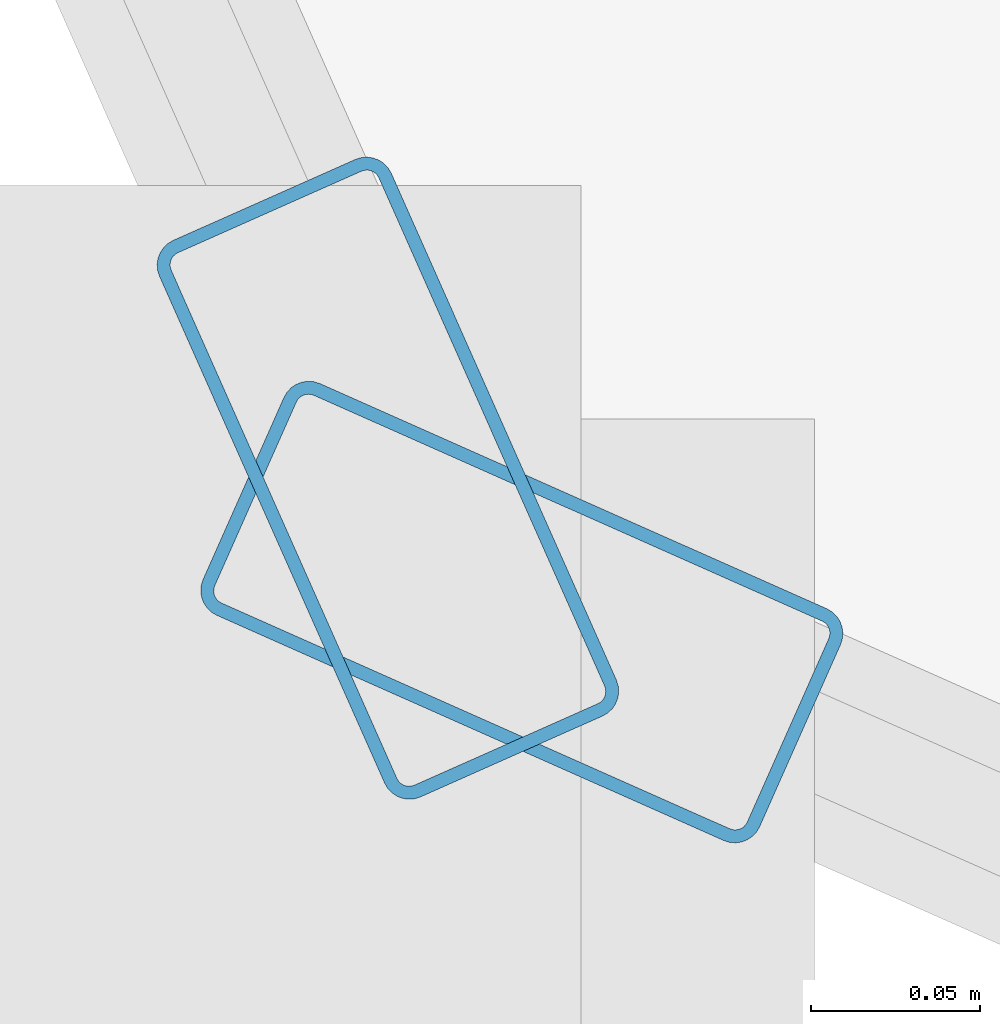
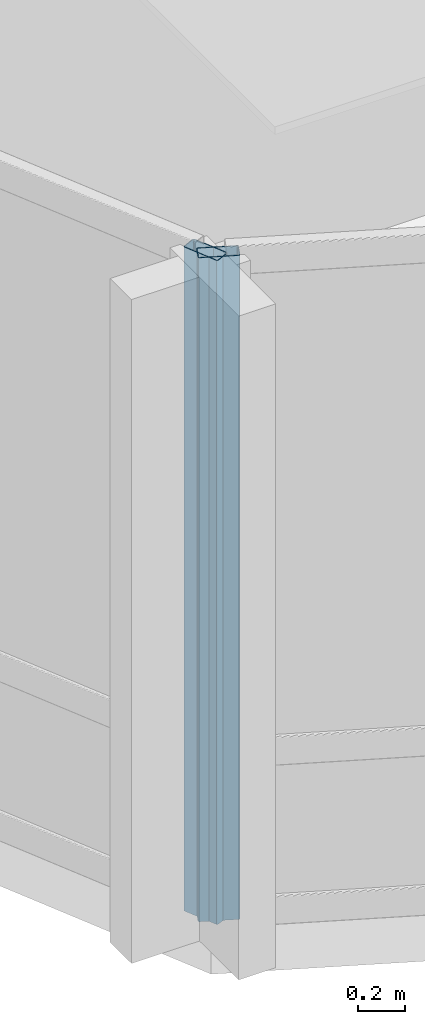
# One storey, part 2 of 28: 2 members, 2 elements without a shape of their own.
"""IFC4 building model written with IfcOpenShell, lengths in metres."""

from ifc_helpers import new_model, si_unit, direction, frame, origin, origin_2d, place, context, subcontext, project, spatial, hollow_rectangle, extrude, material, layer, layer_set, material_profile, profile_set, type_object, element, aggregate, save


model = new_model("IFC4")

# Units and contexts
model_context = context("Model", 3, precision=1e-05, world=origin(), true_north=direction((0.0, 1.0)))
body_context = subcontext(model_context, "Body", "Model", "MODEL_VIEW")
ifc_project = project(units=[si_unit("LENGTHUNIT", "METRE"), si_unit("AREAUNIT", "SQUARE_METRE"), si_unit("VOLUMEUNIT", "CUBIC_METRE"), si_unit("PLANEANGLEUNIT", "RADIAN"), si_unit("MASSUNIT", "GRAM", prefix="KILO")], contexts=[model_context])

# Site, building, storey
site_placement = place(None, origin())
site = spatial("IfcSite", under=ifc_project, at=site_placement, CompositionType="ELEMENT")
building_placement = place(site_placement, origin())
building = spatial("IfcBuilding", under=site, at=building_placement, Name="Solvaryn Broadcast Tower", CompositionType="ELEMENT")
storey_placement = place(building_placement, frame((0.0, 0.0, 135.89990234375)))
storey = spatial("IfcBuildingStorey", under=building, at=storey_placement, Name="L33", CompositionType="ELEMENT", Elevation=135.89990234375)

# Curtain wall, member
ifc_material_1 = material(Name="Aluminium and Terracotta Unitised Curtain Wall", Category="masonry")
ifc_layer = layer(ifc_material_1, 0.199951171875)
ifc_layer_set = layer_set([ifc_layer], Name="CW-SYS2-LOWMID")
curtain_wall_type = type_object("IfcCurtainWallType", Name="CW-SYS2-LOWMID", PredefinedType="NOTDEFINED", material=ifc_layer_set)
curtain_wall_1_placement = place(storey_placement, origin())
curtain_wall_1 = element("IfcCurtainWall", 1, at=curtain_wall_1_placement, inside=storey, type_object=curtain_wall_type, Name="L33 Curtain Wall DR2", PredefinedType="NOTDEFINED")
ifc_material_2 = material(Name="Anodised Aluminium 6063-T6", Category="aluminium")
ifc_material_profile = material_profile(ifc_material_2, hollow_rectangle(XDim=0.074951171875, YDim=0.179931640625, WallThickness=0.00390625, InnerFilletRadius=0.00390625, OuterFilletRadius=0.008056640625, at=origin_2d()))
ifc_profile_set = profile_set([ifc_material_profile], Name="Anodised Aluminium 6063-T6")
member_type = type_object("IfcMemberType", Name="CW-MUL-180", PredefinedType="MULLION", material=ifc_profile_set)
member_1_placement = place(storey_placement, frame((8.895751953125, 8.935302734375, 0.0), z_axis=(0.0, 0.0, 1.0), x_axis=(0.913909311008, 0.405918429309, 0.0)))
member_1 = element("IfcMember", 2, at=member_1_placement, type_object=member_type, Name="CWS2 mullion 2", PredefinedType="MULLION", context=body_context, shape_type="SweptSolid", body=[
    extrude(hollow_rectangle(XDim=0.074951171875, YDim=0.179931640625, WallThickness=0.00390625, InnerFilletRadius=0.00390625, OuterFilletRadius=0.008056640625, at=origin_2d()), origin(), (0.0, 0.0, 1.0), 3.420166015625),
])
aggregate(curtain_wall_1, [member_1])

curtain_wall_2_placement = place(storey_placement, origin())
curtain_wall_2 = element("IfcCurtainWall", 3, at=curtain_wall_2_placement, inside=storey, type_object=curtain_wall_type, Name="L33 Curtain Wall DR3", PredefinedType="NOTDEFINED")
member_2_placement = place(storey_placement, frame((8.935302734375, 8.895751953125, 0.0), z_axis=(0.0, 0.0, 1.0), x_axis=(0.405918429309, 0.913909311008, 0.0)))
member_2 = element("IfcMember", 4, at=member_2_placement, type_object=member_type, Name="CWS2 mullion 1", PredefinedType="MULLION", context=body_context, shape_type="SweptSolid", body=[
    extrude(hollow_rectangle(XDim=0.074951171875, YDim=0.179931640625, WallThickness=0.00390625, InnerFilletRadius=0.00390625, OuterFilletRadius=0.008056640625, at=origin_2d()), origin(), (0.0, 0.0, 1.0), 3.420166015625),
])
aggregate(curtain_wall_2, [member_2])

save(model, "model.ifc")
